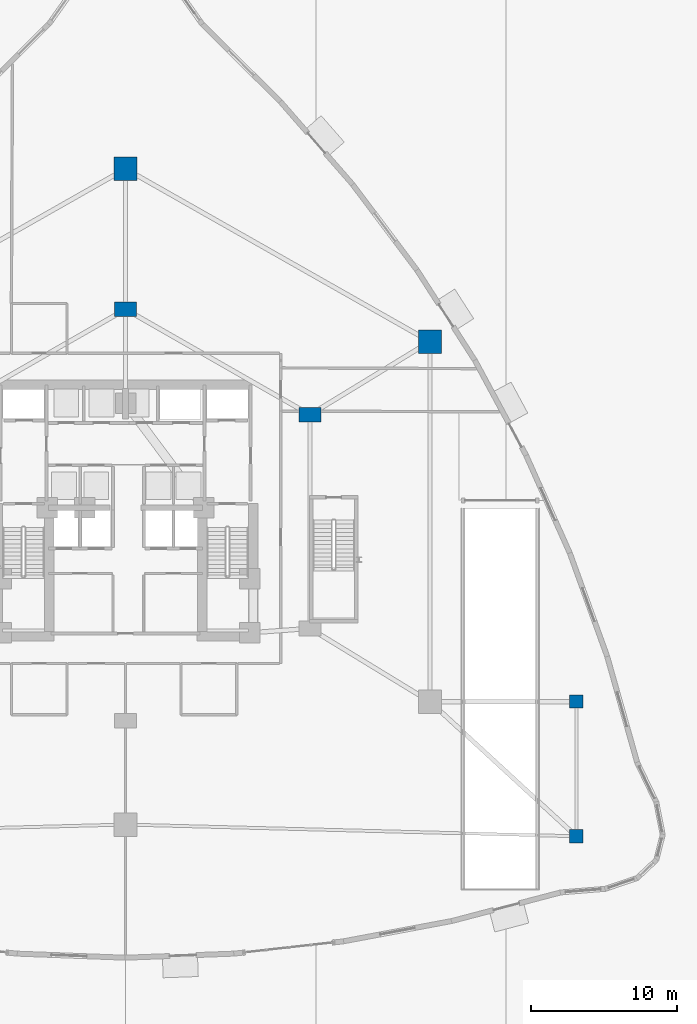
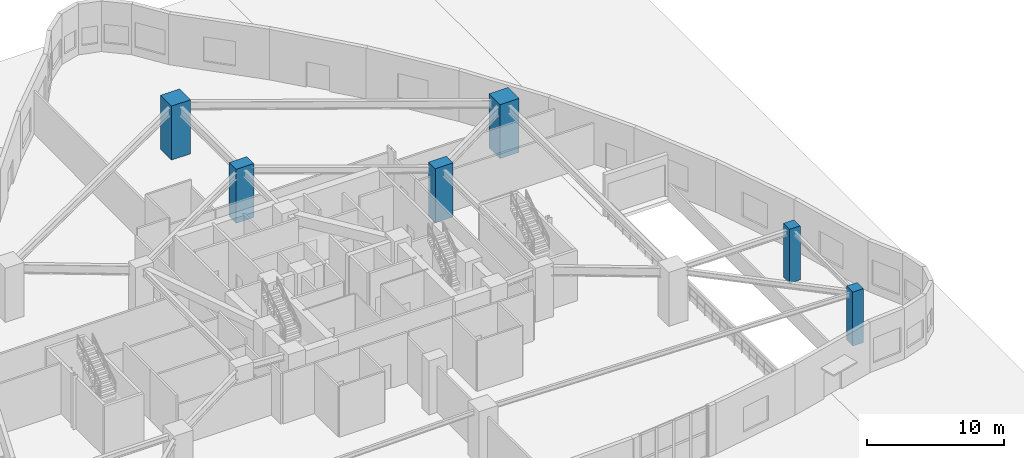
# One storey, part 3 of 32: 6 columns.
"""IFC4 building model written with IfcOpenShell, lengths in metres."""

import ifcopenshell
import ifcopenshell.guid

model = None  # the IFC model being written
_history = None  # IfcOwnerHistory: only IFC2X3 demands one
_inside = {}  # id of a spatial element -> (the spatial element, [elements in it])
_under = {}  # id of a project, library or spatial element -> (it, [spatial elements below it])
_declared = {}  # id of a project -> (the project, [libraries it declares])
_typed = {}  # id of a type object -> (the type object, [elements of that type])
_made_of = {}  # id of a material, layer set ... -> (it, [elements and type objects made of it])


def new_model(schema):
    """Start an empty IFC model of exactly this schema.

    Asked for "IFC4X3", IfcOpenShell would pick the latest addendum, in which some entities
    have other attributes; the version numbers below select the first issue.
    IFC2X3 requires an IfcOwnerHistory on every rooted entity: one is made here for all.
    """
    global model, _history
    if schema == "IFC4X3":
        model = ifcopenshell.file(schema_version=(4, 3, 0, 0))
    else:
        model = ifcopenshell.file(schema=schema)
    _inside.clear()
    _under.clear()
    _declared.clear()
    _typed.clear()
    _made_of.clear()
    _history = None
    if model.schema == "IFC2X3":
        org = make("IfcOrganization", Name="unknown")
        user = make(
            "IfcPersonAndOrganization",
            ThePerson=make("IfcPerson", FamilyName="unknown"),
            TheOrganization=org,
        )
        app = make(
            "IfcApplication",
            ApplicationDeveloper=org,
            Version="unknown",
            ApplicationFullName="unknown",
            ApplicationIdentifier="unknown",
        )
        _history = make(
            "IfcOwnerHistory",
            OwningUser=user,
            OwningApplication=app,
            ChangeAction="ADDED",
            CreationDate=0,
        )
    return model


def make(cls, **values):
    """One entity of the class cls with the attributes given. An attribute that is None is left unset."""
    return model.create_entity(
        cls, **{name: value for name, value in values.items() if value is not None}
    )


def rooted(cls, **values):
    """An entity with a GlobalId (a new one), such as an element, a storey or a relation."""
    return make(cls, GlobalId=ifcopenshell.guid.new(), OwnerHistory=_history, **values)


def si_unit(unit_type, name, prefix=None):
    """IfcSIUnit, for example si_unit("LENGTHUNIT", "METRE", prefix="MILLI")."""
    return make("IfcSIUnit", UnitType=unit_type, Prefix=prefix, Name=name)


def assignment(units):
    """IfcUnitAssignment: the units of a project."""
    return None if units is None else make("IfcUnitAssignment", Units=units)


def point(xyz):
    """IfcCartesianPoint."""
    return None if xyz is None else make("IfcCartesianPoint", Coordinates=xyz)


def direction(xyz):
    """IfcDirection."""
    return None if xyz is None else make("IfcDirection", DirectionRatios=xyz)


def frame(location, z_axis=None, x_axis=None):
    """IfcAxis2Placement3D, a coordinate frame: its origin and axes. An axis left out is left unset."""
    return make(
        "IfcAxis2Placement3D",
        Location=point(location),
        Axis=direction(z_axis),
        RefDirection=direction(x_axis),
    )


def frame_2d(location, x_axis=None):
    """IfcAxis2Placement2D, a coordinate frame in the plane: its origin and x axis."""
    return make(
        "IfcAxis2Placement2D", Location=point(location), RefDirection=direction(x_axis)
    )


def origin():
    """The frame at (0, 0, 0) with its axes left unset."""
    return frame((0.0, 0.0, 0.0))


def origin_2d():
    """The frame at (0, 0) in the plane with its x axis left unset."""
    return frame_2d((0.0, 0.0))


def place(relative_to, where):
    """IfcLocalPlacement: puts the frame where relative to a parent placement (None: the world)."""
    return make(
        "IfcLocalPlacement", PlacementRelTo=relative_to, RelativePlacement=where
    )


def context(
    kind, dimensions, precision=None, world=None, true_north=None, identifier=None
):
    """IfcGeometricRepresentationContext, for example the 3D "Model" context."""
    return make(
        "IfcGeometricRepresentationContext",
        ContextIdentifier=identifier,
        ContextType=kind,
        CoordinateSpaceDimension=dimensions,
        Precision=precision,
        WorldCoordinateSystem=world,
        TrueNorth=true_north,
    )


def subcontext(parent, identifier, kind, view, scale=None):
    """IfcGeometricRepresentationSubContext, for example "Body" below "Model"."""
    return make(
        "IfcGeometricRepresentationSubContext",
        ContextIdentifier=identifier,
        ContextType=kind,
        ParentContext=parent,
        TargetScale=scale,
        TargetView=view,
    )


def project(units=None, contexts=None):
    """IfcProject with its units and contexts."""
    return rooted(
        "IfcProject",
        Name="project",
        RepresentationContexts=contexts,
        UnitsInContext=assignment(units),
    )


def spatial(cls, under=None, at=None, **own):
    """A site, building, storey or space (cls), placed at a placement, below another one or the project."""
    s = rooted(cls, ObjectPlacement=at, **own)
    if under is not None:
        _under.setdefault(under.id(), (under, []))[1].append(s)
    return s


def profile(cls, at=None, kind="AREA", **sizes):
    """A parametric profile (cls). Its sizes go by their IFC names, for example OverallWidth=200.0."""
    return make(cls, ProfileType=kind, Position=at, **sizes)


def rectangle(**sizes):
    """IfcRectangleProfileDef."""
    return profile("IfcRectangleProfileDef", **sizes)


def extrude(swept, where, along, depth):
    """IfcExtrudedAreaSolid: the profile swept, set in the frame where, extruded along a direction by depth."""
    return make(
        "IfcExtrudedAreaSolid",
        SweptArea=swept,
        Position=where,
        ExtrudedDirection=direction(along),
        Depth=depth,
    )


def shape(context_of_items, identifier, shape_type, items):
    """IfcShapeRepresentation: the items that make up one representation, for example the "Body"."""
    return make(
        "IfcShapeRepresentation",
        ContextOfItems=context_of_items,
        RepresentationIdentifier=identifier,
        RepresentationType=shape_type,
        Items=items,
    )


def material(Name=None, Category=None):
    """IfcMaterial."""
    return make("IfcMaterial", Name=Name, Category=Category)


def material_profile(
    of_material, cross_section, Name=None, Category=None, Priority=None
):
    """IfcMaterialProfile: a cross section and its material."""
    return make(
        "IfcMaterialProfile",
        Name=Name,
        Material=of_material,
        Profile=cross_section,
        Priority=Priority,
        Category=Category,
    )


def profile_set(profiles, Name=None, composite=None):
    """IfcMaterialProfileSet."""
    return make(
        "IfcMaterialProfileSet",
        Name=Name,
        MaterialProfiles=profiles,
        CompositeProfile=composite,
    )


def made_of(thing, what):
    """Note that an element or type object is made of a material, layer set ...; save() writes the relation."""
    if what is not None:
        _made_of.setdefault(what.id(), (what, []))[1].append(thing)
    return thing


def type_object(cls, material=None, **own):
    """A type object (cls), such as IfcWallType, which elements share."""
    return made_of(rooted(cls, **own), material)


def element(
    cls,
    number,
    at=None,
    inside=None,
    cuts=None,
    type_object=None,
    material=None,
    context=None,
    identifier="Body",
    shape_type=None,
    held_by="IfcProductDefinitionShape",
    body=None,
    shapes=None,
    **own,
):
    """One element of the class cls, such as IfcWall. Its Tag is "e" and its number.

    at: its placement. inside: the storey or other place that contains it. cuts: it is an
    opening in that element (IfcRelVoidsElement). A single representation is given by context,
    identifier, shape_type and body (its items); several are given by shapes. held_by: the class
    of the entity that holds the representations. save() writes the other relations.
    """
    e = rooted(cls, Tag="e%d" % number, ObjectPlacement=at, **own)
    if body is not None:
        shapes = [shape(context, identifier, shape_type, body)]
    if shapes is not None:
        e.Representation = make(held_by, Representations=shapes)
    if inside is not None:
        _inside.setdefault(inside.id(), (inside, []))[1].append(e)
    if cuts is not None:
        rooted(
            "IfcRelVoidsElement", RelatingBuildingElement=cuts, RelatedOpeningElement=e
        )
    if type_object is not None:
        _typed.setdefault(type_object.id(), (type_object, []))[1].append(e)
    return made_of(e, material)


def aggregate(whole, parts):
    """IfcRelAggregates: a whole, such as a stair, and the parts it consists of."""
    return rooted("IfcRelAggregates", RelatingObject=whole, RelatedObjects=parts)


def save(model, path):
    """Write the relations noted so far, then the file.

    IfcRelAggregates (storeys below a building ...), IfcRelContainedInSpatialStructure (elements
    in a storey), IfcRelDefinesByType, IfcRelAssociatesMaterial and IfcRelDeclares: one each for
    every whole, place, type object, material and project.
    """
    for whole, parts in _under.values():
        aggregate(whole, parts)
    for where, things in _inside.values():
        rooted(
            "IfcRelContainedInSpatialStructure",
            RelatedElements=things,
            RelatingStructure=where,
        )
    for kind, things in _typed.values():
        rooted("IfcRelDefinesByType", RelatedObjects=things, RelatingType=kind)
    for what, things in _made_of.values():
        rooted("IfcRelAssociatesMaterial", RelatedObjects=things, RelatingMaterial=what)
    for by, libraries in _declared.values():
        rooted("IfcRelDeclares", RelatingContext=by, RelatedDefinitions=libraries)
    model.write(path)


model = new_model("IFC4")

# Units and contexts
model_context = context("Model", 3, precision=1e-05, world=origin(), true_north=direction((0.0, 1.0)))
body_context = subcontext(model_context, "Body", "Model", "MODEL_VIEW")
ifc_project = project(units=[si_unit("LENGTHUNIT", "METRE"), si_unit("AREAUNIT", "SQUARE_METRE"), si_unit("VOLUMEUNIT", "CUBIC_METRE"), si_unit("PLANEANGLEUNIT", "RADIAN"), si_unit("MASSUNIT", "GRAM", prefix="KILO")], contexts=[model_context])

# Site, building, storey
site_placement = place(None, origin())
site = spatial("IfcSite", under=ifc_project, at=site_placement, CompositionType="ELEMENT")
building_placement = place(site_placement, origin())
building = spatial("IfcBuilding", under=site, at=building_placement, Name="Miruveldt Soraemaru", CompositionType="ELEMENT")
storey_placement = place(building_placement, origin())
storey = spatial("IfcBuildingStorey", under=building, at=storey_placement, Name="L01", CompositionType="ELEMENT", Elevation=0.0)

# Columns
ifc_material_1 = material(Name="Concrete C50/60 (50 MPa)", Category="concrete")
ifc_material_profile_1 = material_profile(ifc_material_1, rectangle(XDim=0.89990234375, YDim=0.89990234375, at=origin_2d()), Name="Concrete C50/60 (50 MPa)", Category="concrete")
ifc_profile_set_1 = profile_set([ifc_material_profile_1], Name="Concrete C50/60 (50 MPa)")
column_type_1 = type_object("IfcColumnType", Name="COL-CORE-900", PredefinedType="COLUMN", material=ifc_profile_set_1)
for number, where, z_axis, x_axis, name in (
    (1, (74.800048828125, 21.60009765625, 0.0), (0.0, 0.0, 1.0), (1.0, 0.0, 0.0), "L01 Structural Column PF03"),
    (2, (74.800048828125, 30.800048828125, 0.0), (0.0, 0.0, 1.0), (1.0, 0.0, 0.0), "L01 Structural Column PF04"),
):
    element("IfcColumn", number, at=place(storey_placement, frame(where, z_axis=z_axis, x_axis=x_axis)), inside=storey, type_object=column_type_1, Name=name, PredefinedType="COLUMN", context=body_context, shape_type="SweptSolid", body=[
        extrude(rectangle(XDim=0.89990234375, YDim=0.89990234375, at=origin_2d()), origin(), (0.0, 0.0, 1.0), 4.800048828125),
    ])
ifc_material_2 = material(Name="Concrete C80/95 (80 MPa)", Category="concrete")
ifc_material_profile_2 = material_profile(ifc_material_2, rectangle(XDim=1.60009765625, YDim=1.60009765625, at=origin_2d()), Name="Concrete C80/95 (80 MPa)", Category="concrete")
ifc_profile_set_2 = profile_set([ifc_material_profile_2], Name="Concrete C80/95 (80 MPa)")
column_type_2 = type_object("IfcColumnType", Name="COL-MEGA-1600", PredefinedType="COLUMN", material=ifc_profile_set_2)
for number, where, z_axis, x_axis, name in (
    (3, (44.0, 67.199951171875, 0.0), (0.0, 0.0, 1.0), (1.0, 0.0, 0.0), "L01 Structural Column PM01"),
    (4, (64.800048828125, 55.39990234375, 0.0), (0.0, 0.0, 1.0), (1.0, 0.0, 0.0), "L01 Structural Column PM02"),
):
    element("IfcColumn", number, at=place(storey_placement, frame(where, z_axis=z_axis, x_axis=x_axis)), inside=storey, type_object=column_type_2, Name=name, PredefinedType="COLUMN", context=body_context, shape_type="SweptSolid", body=[
        extrude(rectangle(XDim=1.60009765625, YDim=1.60009765625, at=origin_2d()), origin(), (0.0, 0.0, 1.0), 4.800048828125),
    ])
ifc_material_profile_3 = material_profile(ifc_material_2, rectangle(XDim=1.5, YDim=1.0, at=origin_2d()), Name="Concrete C80/95 (80 MPa)", Category="concrete")
ifc_profile_set_3 = profile_set([ifc_material_profile_3], Name="Concrete C80/95 (80 MPa)")
column_type_3 = type_object("IfcColumnType", Name="COL-TW-Z1A", PredefinedType="COLUMN", material=ifc_profile_set_3)
for number, where, z_axis, x_axis, name in (
    (5, (44.0, 57.60009765625, 0.0), (0.0, 0.0, 1.0), (1.0, 0.0, 0.0), "L01 Structural Column IR01"),
    (6, (56.60009765625, 50.39990234375, 0.0), (0.0, 0.0, 1.0), (1.0, 0.0, 0.0), "L01 Structural Column IR02"),
):
    element("IfcColumn", number, at=place(storey_placement, frame(where, z_axis=z_axis, x_axis=x_axis)), inside=storey, type_object=column_type_3, Name=name, PredefinedType="COLUMN", context=body_context, shape_type="SweptSolid", body=[
        extrude(rectangle(XDim=1.5, YDim=1.0, at=origin_2d()), origin(), (0.0, 0.0, 1.0), 4.800048828125),
    ])

save(model, "model.ifc")
